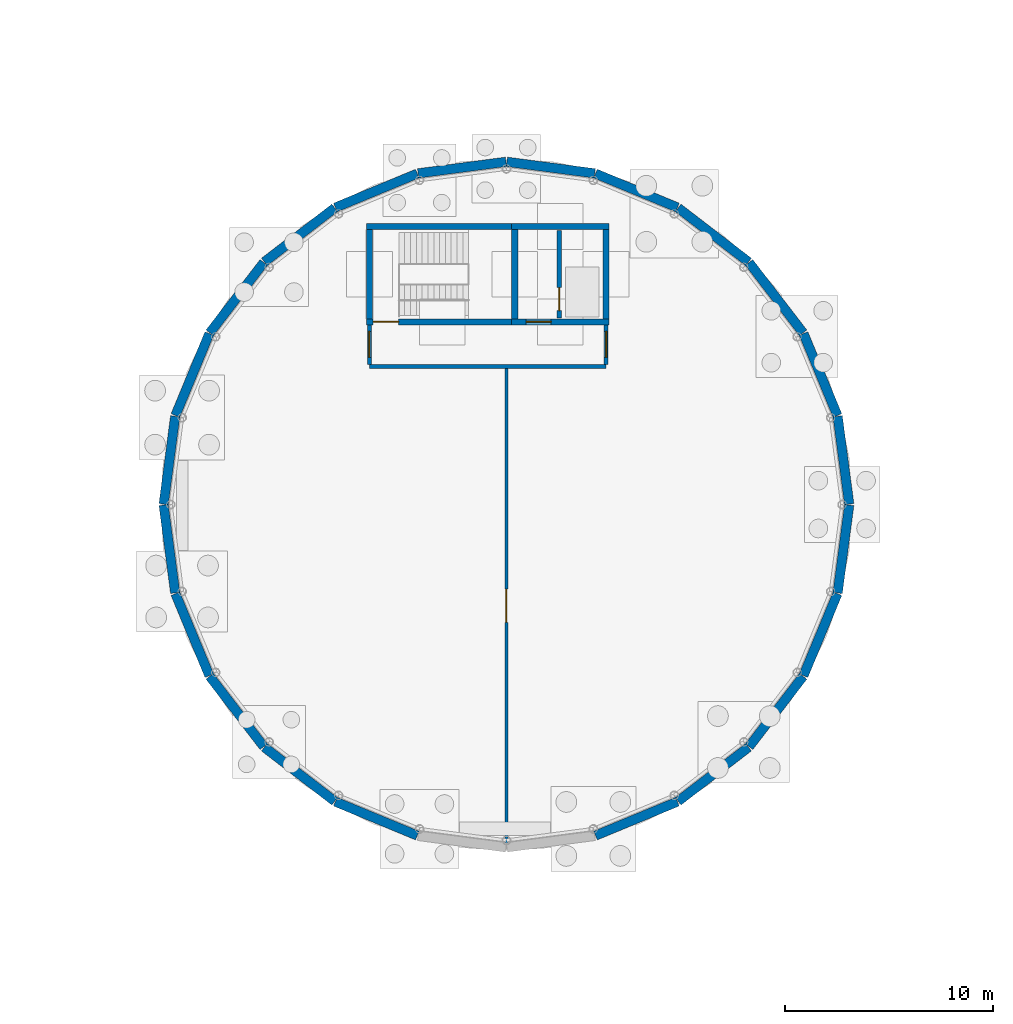
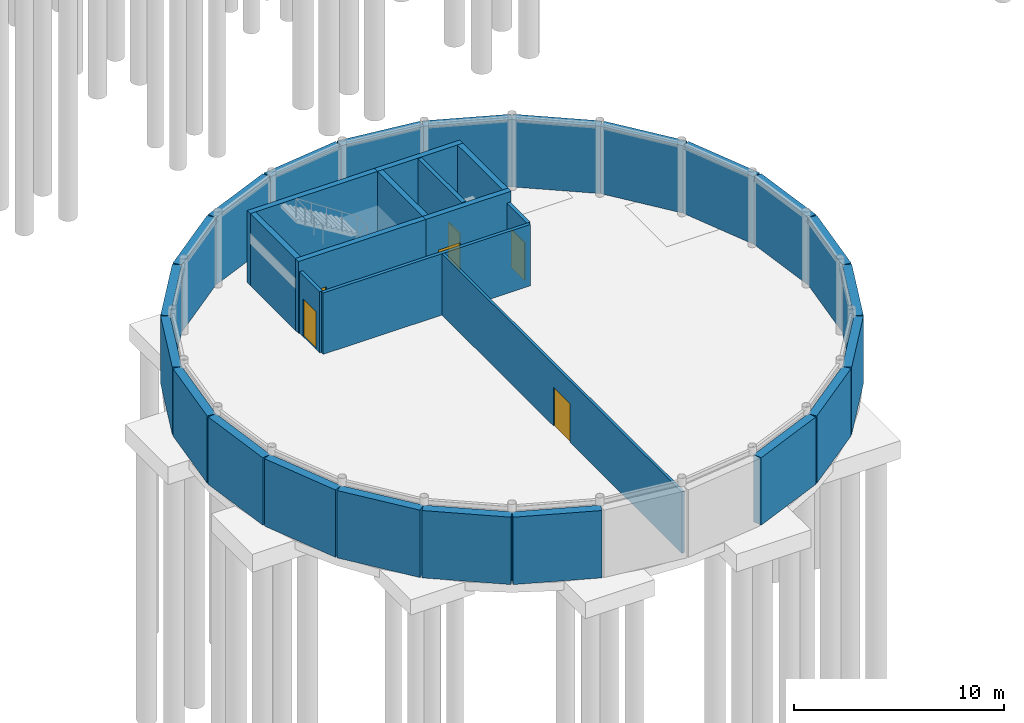
# One storey, part 24 of 33: 34 walls, 6 doors, 6 openings.
"""IFC4 building model written with IfcOpenShell, lengths in metres."""

from ifc_helpers import new_model, si_unit, direction, frame, frame_2d, origin, place, context, subcontext, project, spatial, rectangle, extrude, material, layer, layer_set, type_object, element, fill, save


model = new_model("IFC4")

# Units and contexts
model_context = context("Model", 3, precision=1e-05, world=origin(), true_north=direction((0.0, 1.0)))
body_context = subcontext(model_context, "Body", "Model", "MODEL_VIEW")
ifc_project = project(units=[si_unit("LENGTHUNIT", "METRE"), si_unit("AREAUNIT", "SQUARE_METRE"), si_unit("VOLUMEUNIT", "CUBIC_METRE"), si_unit("PLANEANGLEUNIT", "RADIAN"), si_unit("MASSUNIT", "GRAM", prefix="KILO")], contexts=[model_context])

# Site, building, storey
site_placement = place(None, origin())
site = spatial("IfcSite", under=ifc_project, at=site_placement, CompositionType="ELEMENT")
building_placement = place(site_placement, origin())
building = spatial("IfcBuilding", under=site, at=building_placement, Name="Montecoro Central Library", CompositionType="ELEMENT")
storey_placement = place(building_placement, frame((0.0, 0.0, -4.419921875)))
storey = spatial("IfcBuildingStorey", under=building, at=storey_placement, Name="B1", CompositionType="ELEMENT", Elevation=-4.419921875)

# Walls
ifc_material_1 = material(Name="Concrete C35/45", Category="concrete")
ifc_layer_1 = layer(ifc_material_1, 0.455078125)
ifc_layer_set_1 = layer_set([ifc_layer_1], Name="Concrete C35/45")
wall_type_1 = type_object("IfcWallType", Name="EW-RET-455", PredefinedType="USERDEFINED", material=ifc_layer_set_1)
wall_1_placement = place(storey_placement, frame((108.116943359375, 35.419921875, 0.0), z_axis=(0.0, 0.0, 1.0), x_axis=(-0.130340694676, 0.991469264935, 0.0)))
element("IfcWall", 1, at=wall_1_placement, inside=storey, type_object=wall_type_1, Name="V1-B1-RW-01", ObjectType="RETAININGWALL", PredefinedType="USERDEFINED", context=body_context, shape_type="SweptSolid", body=[
    extrude(rectangle(XDim=4.2724609375, YDim=0.455078125, at=frame_2d((2.13623046875, 0.0))), origin(), (0.0, 0.0, 1.0), 3.919921875),
])
for number, where, z_axis, x_axis, name in (
    (2, (107.549072265625, 39.694091796875, 0.0), (0.0, 0.0, 1.0), (-0.382427492608, 0.923985504701, 0.0), "V1-B1-RW-02"),
    (3, (105.89501953125, 43.676025390625, 0.0), (0.0, 0.0, 1.0), (-0.609003590365, 0.793167464614, 0.0), "V1-B1-RW-03"),
    (4, (103.264892578125, 47.093017578125, 0.0), (0.0, 0.0, 1.0), (-0.793167464614, 0.609003590365, 0.0), "V1-B1-RW-04"),
    (5, (99.842041015625, 49.715087890625, 0.0), (0.0, 0.0, 1.0), (-0.923985504701, 0.382427492608, 0.0), "V1-B1-RW-05"),
):
    element("IfcWall", number, at=place(storey_placement, frame(where, z_axis=z_axis, x_axis=x_axis)), inside=storey, type_object=wall_type_1, Name=name, ObjectType="RETAININGWALL", PredefinedType="USERDEFINED", context=body_context, shape_type="SweptSolid", body=[
        extrude(rectangle(XDim=4.272705078125, YDim=0.455078125, at=frame_2d((2.13623046875, 0.0))), origin(), (0.0, 0.0, 1.0), 3.919921875),
    ])
wall_2_placement = place(storey_placement, frame((95.85595703125, 51.360107421875, 0.0), z_axis=(0.0, 0.0, 1.0), x_axis=(-0.991468294086, 0.13034807947, 0.0)))
element("IfcWall", 6, at=wall_2_placement, inside=storey, type_object=wall_type_1, Name="V1-B1-RW-06", ObjectType="RETAININGWALL", PredefinedType="USERDEFINED", context=body_context, shape_type="SweptSolid", body=[
    extrude(rectangle(XDim=4.272216796875, YDim=0.455078125, at=frame_2d((2.13623046875, 0.0))), origin(), (0.0, 0.0, 1.0), 3.919921875),
])
wall_3_placement = place(storey_placement, frame((91.580078125, 51.9169921875, 0.0), z_axis=(0.0, 0.0, 1.0), x_axis=(-0.991469264935, -0.130340694676, 0.0)))
element("IfcWall", 7, at=wall_3_placement, inside=storey, type_object=wall_type_1, Name="V1-B1-RW-07", ObjectType="RETAININGWALL", PredefinedType="USERDEFINED", context=body_context, shape_type="SweptSolid", body=[
    extrude(rectangle(XDim=4.2724609375, YDim=0.455078125, at=frame_2d((2.13623046875, 0.0))), origin(), (0.0, 0.0, 1.0), 3.919921875),
])
for number, where, z_axis, x_axis, name in (
    (8, (87.305908203125, 51.34912109375, 0.0), (0.0, 0.0, 1.0), (-0.923985504701, -0.382427492608, 0.0), "V1-B1-RW-08"),
    (9, (83.323974609375, 49.695068359375, 0.0), (0.0, 0.0, 1.0), (-0.793167464614, -0.609003590365, 0.0), "V1-B1-RW-09"),
    (10, (79.906982421875, 47.06494140625, 0.0), (0.0, 0.0, 1.0), (-0.609003590365, -0.793167464614, 0.0), "V1-B1-RW-10"),
    (11, (77.284912109375, 43.64208984375, 0.0), (0.0, 0.0, 1.0), (-0.382427492608, -0.923985504701, 0.0), "V1-B1-RW-11"),
):
    element("IfcWall", number, at=place(storey_placement, frame(where, z_axis=z_axis, x_axis=x_axis)), inside=storey, type_object=wall_type_1, Name=name, ObjectType="RETAININGWALL", PredefinedType="USERDEFINED", context=body_context, shape_type="SweptSolid", body=[
        extrude(rectangle(XDim=4.272705078125, YDim=0.455078125, at=frame_2d((2.13623046875, 0.0))), origin(), (0.0, 0.0, 1.0), 3.919921875),
    ])
wall_4_placement = place(storey_placement, frame((75.639892578125, 39.656005859375, 0.0), z_axis=(0.0, 0.0, 1.0), x_axis=(-0.130340694676, -0.991469264935, 0.0)))
element("IfcWall", 12, at=wall_4_placement, inside=storey, type_object=wall_type_1, Name="V1-B1-RW-12", ObjectType="RETAININGWALL", PredefinedType="USERDEFINED", context=body_context, shape_type="SweptSolid", body=[
    extrude(rectangle(XDim=4.2724609375, YDim=0.455078125, at=frame_2d((2.13623046875, 0.0))), origin(), (0.0, 0.0, 1.0), 3.919921875),
])
wall_5_placement = place(storey_placement, frame((75.0830078125, 35.3798828125, 0.0), z_axis=(0.0, 0.0, 1.0), x_axis=(0.13034807947, -0.991468294086, 0.0)))
element("IfcWall", 13, at=wall_5_placement, inside=storey, type_object=wall_type_1, Name="V1-B1-RW-13", ObjectType="RETAININGWALL", PredefinedType="USERDEFINED", context=body_context, shape_type="SweptSolid", body=[
    extrude(rectangle(XDim=4.272216796875, YDim=0.455078125, at=frame_2d((2.13623046875, 0.0))), origin(), (0.0, 0.0, 1.0), 3.919921875),
])
for number, where, z_axis, x_axis, name in (
    (14, (75.65087890625, 31.10595703125, 0.0), (0.0, 0.0, 1.0), (0.382427492608, -0.923985504701, 0.0), "V1-B1-RW-14"),
    (15, (77.304931640625, 27.1240234375, 0.0), (0.0, 0.0, 1.0), (0.609003590365, -0.793167464614, 0.0), "V1-B1-RW-15"),
    (16, (79.93505859375, 23.70703125, 0.0), (0.0, 0.0, 1.0), (0.793167464614, -0.609003590365, 0.0), "V1-B1-RW-16"),
    (17, (83.35791015625, 21.0849609375, 0.0), (0.0, 0.0, 1.0), (0.923985504701, -0.382427492608, 0.0), "V1-B1-RW-17"),
    (18, (95.89404296875, 19.450927734375, 0.0), (0.0, 0.0, 1.0), (0.923985504701, 0.382427492608, 0.0), "V1-B1-RW-20"),
    (19, (99.8759765625, 21.10498046875, 0.0), (0.0, 0.0, 1.0), (0.793167464614, 0.609003590365, 0.0), "V1-B1-RW-21"),
    (20, (103.29296875, 23.735107421875, 0.0), (0.0, 0.0, 1.0), (0.609003590365, 0.793167464614, 0.0), "V1-B1-RW-22"),
    (21, (105.9150390625, 27.157958984375, 0.0), (0.0, 0.0, 1.0), (0.382427492608, 0.923985504701, 0.0), "V1-B1-RW-23"),
):
    element("IfcWall", number, at=place(storey_placement, frame(where, z_axis=z_axis, x_axis=x_axis)), inside=storey, type_object=wall_type_1, Name=name, ObjectType="RETAININGWALL", PredefinedType="USERDEFINED", context=body_context, shape_type="SweptSolid", body=[
        extrude(rectangle(XDim=4.272705078125, YDim=0.455078125, at=frame_2d((2.13623046875, 0.0))), origin(), (0.0, 0.0, 1.0), 3.919921875),
    ])
wall_6_placement = place(storey_placement, frame((107.56005859375, 31.14404296875, 0.0), z_axis=(0.0, 0.0, 1.0), x_axis=(0.13034807947, 0.991468294086, 0.0)))
element("IfcWall", 22, at=wall_6_placement, inside=storey, type_object=wall_type_1, Name="V1-B1-RW-24", ObjectType="RETAININGWALL", PredefinedType="USERDEFINED", context=body_context, shape_type="SweptSolid", body=[
    extrude(rectangle(XDim=4.272216796875, YDim=0.455078125, at=frame_2d((2.13623046875, 0.0))), origin(), (0.0, 0.0, 1.0), 3.919921875),
])
ifc_material_2 = material(Name="Gypsum fire-rated partition")
ifc_layer_2 = layer(ifc_material_2, 0.179931640625)
ifc_layer_set_2 = layer_set([ifc_layer_2], Name="Gypsum fire-rated partition")
wall_type_2 = type_object("IfcWallType", Name="IW-COR-180", PredefinedType="PARTITIONING", material=ifc_layer_set_2)
wall_7_placement = place(storey_placement, frame((85.0, 42.050048828125, 0.0), z_axis=(0.0, 0.0, 1.0), x_axis=(1.0, 0.0, 0.0)))
element("IfcWall", 23, at=wall_7_placement, inside=storey, type_object=wall_type_2, Name="V1-B1-FOY-WS", PredefinedType="PARTITIONING", context=body_context, shape_type="SweptSolid", body=[
    extrude(rectangle(XDim=11.39990234375, YDim=0.179931640625, at=frame_2d((5.699951171875, 0.0))), origin(), (0.0, 0.0, 1.0), 3.56982421875),
])

# Wall, opening, door
wall_8_placement = place(storey_placement, frame((85.0, 42.139892578125, 0.0), z_axis=(0.0, 0.0, 1.0), x_axis=(0.0, 1.0, 0.0)))
wall_8 = element("IfcWall", 24, at=wall_8_placement, inside=storey, type_object=wall_type_2, Name="V1-B1-FOY-WW", PredefinedType="PARTITIONING", context=body_context, shape_type="SweptSolid", body=[
    extrude(rectangle(XDim=1.91015625, YDim=0.179931640625, at=frame_2d((0.955078125, 0.0))), origin(), (0.0, 0.0, 1.0), 3.56982421875),
])
opening_1_placement = place(wall_8_placement, frame((0.35009765625, 0.0, 0.0)))
opening_1 = element("IfcOpeningElement", 25, at=opening_1_placement, cuts=wall_8, Name="Opening ID-09", PredefinedType="OPENING", context=body_context, shape_type="SweptSolid", body=[
    extrude(rectangle(XDim=1.260009765625, YDim=2.199951171875, at=frame_2d((0.6298828125, 1.10009765625))), frame((0.0, 0.099853515625, 0.0), z_axis=(0.0, -1.0, 0.0), x_axis=(1.0, 0.0, 0.0)), (0.0, 0.0, 1.0), 0.199951171875),
])
ifc_material_3 = material(Name="Solid oak and fire-rated steel door", Category="steel")
door_type_1 = type_object("IfcDoorType", Name="ID-RDG-126", OperationType="NOTDEFINED", PredefinedType="DOOR", material=ifc_material_3)
door_1_placement = place(opening_1_placement, origin())
door_1 = element("IfcDoor", 26, at=door_1_placement, inside=storey, type_object=door_type_1, Name="DR-SP-V1-B1-R1", OperationType="SINGLE_SWING_LEFT", OverallHeight=2.199951171875, OverallWidth=1.260009765625, PredefinedType="DOOR", context=body_context, shape_type="SweptSolid", body=[
    extrude(rectangle(XDim=1.260009765625, YDim=2.199951171875, at=frame_2d((0.6298828125, 1.10009765625))), frame((0.0, 0.02490234375, 0.0), z_axis=(0.0, -1.0, 0.0), x_axis=(1.0, 0.0, 0.0)), (0.0, 0.0, 1.0), 0.050048828125),
])
fill(opening_1, door_1)

wall_9_placement = place(storey_placement, frame((96.39990234375, 42.139892578125, 0.0), z_axis=(0.0, 0.0, 1.0), x_axis=(0.0, 1.0, 0.0)))
wall_9 = element("IfcWall", 27, at=wall_9_placement, inside=storey, type_object=wall_type_2, Name="V1-B1-FOY-WE", PredefinedType="PARTITIONING", context=body_context, shape_type="SweptSolid", body=[
    extrude(rectangle(XDim=1.91015625, YDim=0.179931640625, at=frame_2d((0.955078125, 0.0))), origin(), (0.0, 0.0, 1.0), 3.56982421875),
])
opening_2_placement = place(wall_9_placement, frame((0.35009765625, 0.0, 0.0)))
opening_2 = element("IfcOpeningElement", 28, at=opening_2_placement, cuts=wall_9, Name="Opening ID-09", PredefinedType="OPENING", context=body_context, shape_type="SweptSolid", body=[
    extrude(rectangle(XDim=1.260009765625, YDim=2.199951171875, at=frame_2d((0.6298828125, 1.10009765625))), frame((0.0, 0.099853515625, 0.0), z_axis=(0.0, -1.0, 0.0), x_axis=(1.0, 0.0, 0.0)), (0.0, 0.0, 1.0), 0.199951171875),
])
door_2_placement = place(opening_2_placement, origin())
door_2 = element("IfcDoor", 29, at=door_2_placement, inside=storey, type_object=door_type_1, Name="DR-SP-V1-B1-R2", OperationType="SINGLE_SWING_RIGHT", OverallHeight=2.199951171875, OverallWidth=1.260009765625, PredefinedType="DOOR", context=body_context, shape_type="SweptSolid", body=[
    extrude(rectangle(XDim=1.260009765625, YDim=2.199951171875, at=frame_2d((0.6298828125, 1.10009765625))), frame((0.0, 0.02490234375, 0.0), z_axis=(0.0, -1.0, 0.0), x_axis=(1.0, 0.0, 0.0)), (0.0, 0.0, 1.0), 0.050048828125),
])
fill(opening_2, door_2)

ifc_material_4 = material(Name="Concrete C32/40", Category="concrete")
ifc_layer_3 = layer(ifc_material_4, 0.219970703125)
ifc_layer_set_3 = layer_set([ifc_layer_3], Name="Concrete C32/40")
wall_type_3 = type_object("IfcWallType", Name="IW-FFL-220", PredefinedType="SOLIDWALL", material=ifc_layer_set_3)
wall_10_placement = place(storey_placement, frame((94.14990234375, 44.39990234375, 0.0), z_axis=(0.0, 0.0, 1.0), x_axis=(0.0, 1.0, 0.0)))
wall_10 = element("IfcWall", 30, at=wall_10_placement, inside=storey, type_object=wall_type_3, Name="C1-B1-WLSH", PredefinedType="SOLIDWALL", context=body_context, shape_type="SweptSolid", body=[
    extrude(rectangle(XDim=4.2001953125, YDim=0.219970703125, at=frame_2d((2.10009765625, 0.0))), origin(), (0.0, 0.0, 1.0), 4.184814453125),
])
opening_3_placement = place(wall_10_placement, frame((0.35009765625, 0.0, 0.0)))
opening_3 = element("IfcOpeningElement", 31, at=opening_3_placement, cuts=wall_10, Name="Opening LD-01", PredefinedType="OPENING", context=body_context, shape_type="SweptSolid", body=[
    extrude(rectangle(XDim=1.10009765625, YDim=2.14990234375, at=frame_2d((0.550048828125, 1.074951171875))), frame((0.0, 0.119873046875, 0.0), z_axis=(0.0, -1.0, 0.0), x_axis=(1.0, 0.0, 0.0)), (0.0, 0.0, 1.0), 0.239990234375),
])
door_type_2 = type_object("IfcDoorType", Name="LD-LIFT-110", OperationType="NOTDEFINED", PredefinedType="DOOR", material=ifc_material_3)
door_3_placement = place(opening_3_placement, origin())
door_3 = element("IfcDoor", 32, at=door_3_placement, inside=storey, type_object=door_type_2, Name="C1-B1-LD-PL-01", OperationType="SLIDING_TO_LEFT", OverallHeight=2.14990234375, OverallWidth=1.10009765625, PredefinedType="DOOR", context=body_context, shape_type="SweptSolid", body=[
    extrude(rectangle(XDim=1.10009765625, YDim=2.14990234375, at=frame_2d((0.550048828125, 1.074951171875))), frame((0.0, 0.02490234375, 0.0), z_axis=(0.0, -1.0, 0.0), x_axis=(1.0, 0.0, 0.0)), (0.0, 0.0, 1.0), 0.050048828125),
])
fill(opening_3, door_3)

ifc_material_5 = material(Name="Gypsum metal-stud partition")
ifc_layer_4 = layer(ifc_material_5, 0.139892578125)
ifc_layer_set_4 = layer_set([ifc_layer_4], Name="Gypsum metal-stud partition")
wall_type_4 = type_object("IfcWallType", Name="IW-PRT-140", PredefinedType="PARTITIONING", material=ifc_layer_set_4)
wall_11_placement = place(storey_placement, frame((91.60009765625, 19.10009765625, 0.0), z_axis=(0.0, 0.0, 1.0), x_axis=(0.0, 1.0, 0.0)))
wall_11 = element("IfcWall", 33, at=wall_11_placement, inside=storey, type_object=wall_type_4, Name="V1-B1-SPINE-S", PredefinedType="PARTITIONING", context=body_context, shape_type="SweptSolid", body=[
    extrude(rectangle(XDim=22.85986328125, YDim=0.139892578125, at=frame_2d((11.429931640625, 0.0))), origin(), (0.0, 0.0, 1.0), 3.56982421875),
])
opening_4_placement = place(wall_11_placement, frame((10.6298828125, 0.0, 0.0)))
opening_4 = element("IfcOpeningElement", 34, at=opening_4_placement, cuts=wall_11, Name="Opening ID-06", PredefinedType="OPENING", context=body_context, shape_type="SweptSolid", body=[
    extrude(rectangle(XDim=1.60009765625, YDim=2.25, at=frame_2d((0.800048828125, 1.125))), frame((0.0, 0.079833984375, 0.0), z_axis=(0.0, -1.0, 0.0), x_axis=(1.0, 0.0, 0.0)), (0.0, 0.0, 1.0), 0.159912109375),
])
door_type_3 = type_object("IfcDoorType", Name="ID-COR-160", OperationType="NOTDEFINED", PredefinedType="DOOR", material=ifc_material_3)
door_4_placement = place(opening_4_placement, origin())
door_4 = element("IfcDoor", 35, at=door_4_placement, inside=storey, type_object=door_type_3, Name="V1-B1-DR-SPINE", OperationType="DOUBLE_DOOR_SINGLE_SWING", OverallHeight=2.25, OverallWidth=1.60009765625, PredefinedType="DOOR", context=body_context, shape_type="SweptSolid", body=[
    extrude(rectangle(XDim=1.60009765625, YDim=2.25, at=frame_2d((0.800048828125, 1.125))), frame((0.0, 0.02490234375, 0.0), z_axis=(0.0, -1.0, 0.0), x_axis=(1.0, 0.0, 0.0)), (0.0, 0.0, 1.0), 0.050048828125),
])
fill(opening_4, door_4)

ifc_layer_5 = layer(ifc_material_1, 0.300048828125)
ifc_layer_set_5 = layer_set([ifc_layer_5], Name="Concrete C35/45")
wall_type_5 = type_object("IfcWallType", Name="IW-SHR-300", PredefinedType="SHEAR", material=ifc_layer_set_5)
wall_12_placement = place(storey_placement, frame((91.85009765625, 44.199951171875, 0.0), z_axis=(0.0, 0.0, 1.0), x_axis=(1.0, 0.0, 0.0)))
wall_12 = element("IfcWall", 36, at=wall_12_placement, inside=storey, type_object=wall_type_5, Name="C1-B1-LWS", PredefinedType="SHEAR", context=body_context, shape_type="SweptSolid", body=[
    extrude(rectangle(XDim=4.699951171875, YDim=0.300048828125, at=frame_2d((2.35009765625, 0.0))), origin(), (0.0, 0.0, 1.0), 4.184814453125),
])
opening_5_placement = place(wall_12_placement, frame((0.699951171875, 0.0, 0.0)))
opening_5 = element("IfcOpeningElement", 37, at=opening_5_placement, cuts=wall_12, Name="Opening ID-03", PredefinedType="OPENING", context=body_context, shape_type="SweptSolid", body=[
    extrude(rectangle(XDim=1.199951171875, YDim=2.159912109375, at=frame_2d((0.60009765625, 1.080078125))), frame((0.0, 0.159912109375, 0.0), z_axis=(0.0, -1.0, 0.0), x_axis=(1.0, 0.0, 0.0)), (0.0, 0.0, 1.0), 0.320068359375),
])
door_type_4 = type_object("IfcDoorType", Name="ID-FFL-120", OperationType="NOTDEFINED", PredefinedType="DOOR", material=ifc_material_3)
door_5_placement = place(opening_5_placement, origin())
door_5 = element("IfcDoor", 38, at=door_5_placement, inside=storey, type_object=door_type_4, Name="C1-B1-DLOB", OperationType="SINGLE_SWING_LEFT", OverallHeight=2.159912109375, OverallWidth=1.199951171875, PredefinedType="DOOR", context=body_context, shape_type="SweptSolid", body=[
    extrude(rectangle(XDim=1.199951171875, YDim=2.159912109375, at=frame_2d((0.60009765625, 1.080078125))), frame((0.0, 0.02490234375, 0.0), z_axis=(0.0, -1.0, 0.0), x_axis=(1.0, 0.0, 0.0)), (0.0, 0.0, 1.0), 0.050048828125),
])
fill(opening_5, door_5)

# Walls
wall_13_placement = place(storey_placement, frame((96.550048828125, 48.800048828125, 0.0), z_axis=(0.0, 0.0, 1.0), x_axis=(-1.0, 0.0, 0.0)))
element("IfcWall", 39, at=wall_13_placement, inside=storey, type_object=wall_type_5, Name="C1-B1-LWN", PredefinedType="SHEAR", context=body_context, shape_type="SweptSolid", body=[
    extrude(rectangle(XDim=4.699951171875, YDim=0.300048828125, at=frame_2d((2.35009765625, 0.0))), origin(), (0.0, 0.0, 1.0), 4.184814453125),
])
wall_14_placement = place(storey_placement, frame((96.39990234375, 44.35009765625, 0.0), z_axis=(0.0, 0.0, 1.0), x_axis=(0.0, 1.0, 0.0)))
element("IfcWall", 40, at=wall_14_placement, inside=storey, type_object=wall_type_5, Name="C1-B1-LWE", PredefinedType="SHEAR", context=body_context, shape_type="SweptSolid", body=[
    extrude(rectangle(XDim=4.2998046875, YDim=0.300048828125, at=frame_2d((2.14990234375, 0.0))), origin(), (0.0, 0.0, 1.0), 4.184814453125),
])

# Wall, opening, door
wall_15_placement = place(storey_placement, frame((84.85009765625, 44.199951171875, 0.0), z_axis=(0.0, 0.0, 1.0), x_axis=(1.0, 0.0, 0.0)))
wall_15 = element("IfcWall", 41, at=wall_15_placement, inside=storey, type_object=wall_type_5, Name="C1-B1-WS", PredefinedType="SHEAR", context=body_context, shape_type="SweptSolid", body=[
    extrude(rectangle(XDim=7.2998046875, YDim=0.300048828125, at=frame_2d((3.64990234375, 0.0))), origin(), (0.0, 0.0, 1.0), 4.184814453125),
])
opening_6_placement = place(wall_15_placement, frame((0.330078125, 0.0, 0.0)))
opening_6 = element("IfcOpeningElement", 42, at=opening_6_placement, cuts=wall_15, Name="Opening ID-01", PredefinedType="OPENING", context=body_context, shape_type="SweptSolid", body=[
    extrude(rectangle(XDim=1.219970703125, YDim=2.179931640625, at=frame_2d((0.60986328125, 1.08984375))), frame((0.0, 0.159912109375, 0.0), z_axis=(0.0, -1.0, 0.0), x_axis=(1.0, 0.0, 0.0)), (0.0, 0.0, 1.0), 0.320068359375),
])
door_type_5 = type_object("IfcDoorType", Name="ID-STR-140", OperationType="NOTDEFINED", PredefinedType="DOOR", material=ifc_material_3)
door_6_placement = place(opening_6_placement, origin())
door_6 = element("IfcDoor", 43, at=door_6_placement, inside=storey, type_object=door_type_5, Name="C1-B1-DSTR", OperationType="SINGLE_SWING_RIGHT", OverallHeight=2.179931640625, OverallWidth=1.219970703125, PredefinedType="DOOR", context=body_context, shape_type="SweptSolid", body=[
    extrude(rectangle(XDim=1.219970703125, YDim=2.179931640625, at=frame_2d((0.60986328125, 1.08984375))), frame((0.0, 0.02490234375, 0.0), z_axis=(0.0, -1.0, 0.0), x_axis=(1.0, 0.0, 0.0)), (0.0, 0.0, 1.0), 0.050048828125),
])
fill(opening_6, door_6)

# Walls
wall_16_placement = place(storey_placement, frame((84.85009765625, 48.800048828125, 0.0), z_axis=(0.0, 0.0, 1.0), x_axis=(1.0, 0.0, 0.0)))
element("IfcWall", 44, at=wall_16_placement, inside=storey, type_object=wall_type_5, Name="C1-B1-WN", PredefinedType="SHEAR", context=body_context, shape_type="SweptSolid", body=[
    extrude(rectangle(XDim=7.2998046875, YDim=0.300048828125, at=frame_2d((3.64990234375, 0.0))), origin(), (0.0, 0.0, 1.0), 4.184814453125),
])
for number, where, z_axis, x_axis, name in (
    (45, (85.0, 44.35009765625, 0.0), (0.0, 0.0, 1.0), (0.0, 1.0, 0.0), "C1-B1-WW"),
    (46, (92.0, 44.35009765625, 0.0), (0.0, 0.0, 1.0), (0.0, 1.0, 0.0), "C1-B1-WE"),
):
    element("IfcWall", number, at=place(storey_placement, frame(where, z_axis=z_axis, x_axis=x_axis)), inside=storey, type_object=wall_type_5, Name=name, PredefinedType="SHEAR", context=body_context, shape_type="SweptSolid", body=[
        extrude(rectangle(XDim=4.2998046875, YDim=0.300048828125, at=frame_2d((2.14990234375, 0.0))), origin(), (0.0, 0.0, 1.0), 4.184814453125),
    ])

save(model, "model.ifc")
